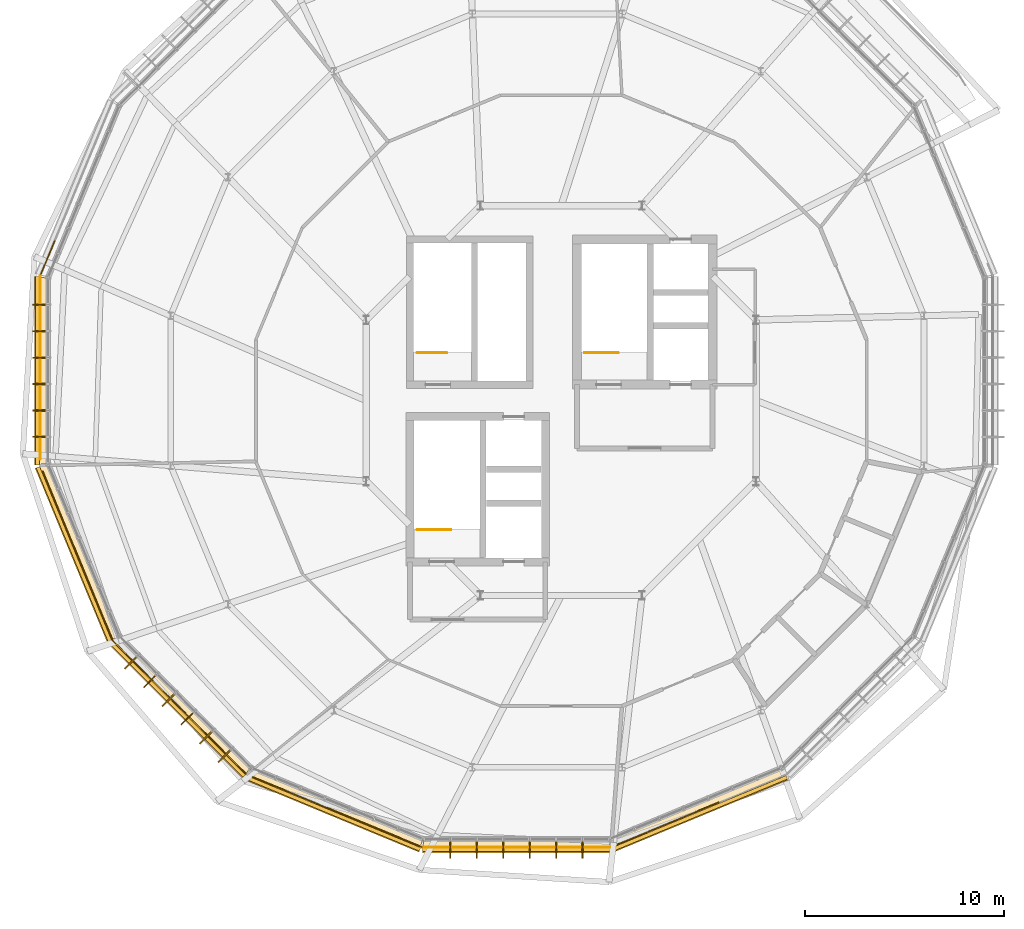
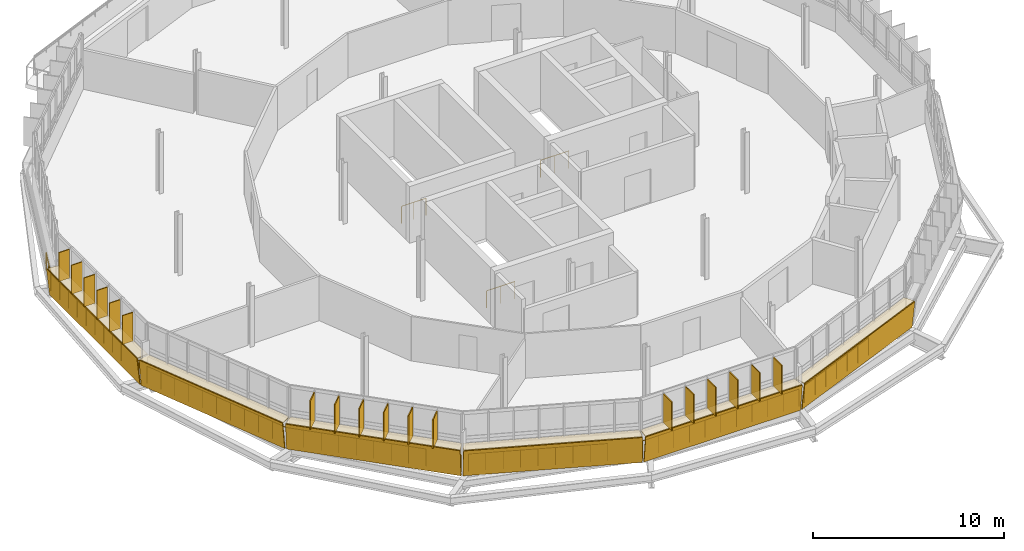
# One storey, part 29 of 31: 32 railings, 18 shading devices, 12 coverings.
"""IFC4 building model written with IfcOpenShell, lengths in metres."""

import ifcopenshell
import ifcopenshell.guid

model = None  # the IFC model being written
_history = None  # IfcOwnerHistory: only IFC2X3 demands one
_inside = {}  # id of a spatial element -> (the spatial element, [elements in it])
_under = {}  # id of a project, library or spatial element -> (it, [spatial elements below it])
_declared = {}  # id of a project -> (the project, [libraries it declares])
_typed = {}  # id of a type object -> (the type object, [elements of that type])
_made_of = {}  # id of a material, layer set ... -> (it, [elements and type objects made of it])


def new_model(schema):
    """Start an empty IFC model of exactly this schema.

    Asked for "IFC4X3", IfcOpenShell would pick the latest addendum, in which some entities
    have other attributes; the version numbers below select the first issue.
    IFC2X3 requires an IfcOwnerHistory on every rooted entity: one is made here for all.
    """
    global model, _history
    if schema == "IFC4X3":
        model = ifcopenshell.file(schema_version=(4, 3, 0, 0))
    else:
        model = ifcopenshell.file(schema=schema)
    _inside.clear()
    _under.clear()
    _declared.clear()
    _typed.clear()
    _made_of.clear()
    _history = None
    if model.schema == "IFC2X3":
        org = make("IfcOrganization", Name="unknown")
        user = make(
            "IfcPersonAndOrganization",
            ThePerson=make("IfcPerson", FamilyName="unknown"),
            TheOrganization=org,
        )
        app = make(
            "IfcApplication",
            ApplicationDeveloper=org,
            Version="unknown",
            ApplicationFullName="unknown",
            ApplicationIdentifier="unknown",
        )
        _history = make(
            "IfcOwnerHistory",
            OwningUser=user,
            OwningApplication=app,
            ChangeAction="ADDED",
            CreationDate=0,
        )
    return model


def make(cls, **values):
    """One entity of the class cls with the attributes given. An attribute that is None is left unset."""
    return model.create_entity(
        cls, **{name: value for name, value in values.items() if value is not None}
    )


def rooted(cls, **values):
    """An entity with a GlobalId (a new one), such as an element, a storey or a relation."""
    return make(cls, GlobalId=ifcopenshell.guid.new(), OwnerHistory=_history, **values)


def si_unit(unit_type, name, prefix=None):
    """IfcSIUnit, for example si_unit("LENGTHUNIT", "METRE", prefix="MILLI")."""
    return make("IfcSIUnit", UnitType=unit_type, Prefix=prefix, Name=name)


def derived_unit(unit_type, elements):
    """IfcDerivedUnit: a product of units, each with its exponent."""
    return make(
        "IfcDerivedUnit",
        Elements=[
            make("IfcDerivedUnitElement", Unit=unit, Exponent=power)
            for unit, power in elements
        ],
        UnitType=unit_type,
    )


def assignment(units):
    """IfcUnitAssignment: the units of a project."""
    return None if units is None else make("IfcUnitAssignment", Units=units)


def point(xyz):
    """IfcCartesianPoint."""
    return None if xyz is None else make("IfcCartesianPoint", Coordinates=xyz)


def direction(xyz):
    """IfcDirection."""
    return None if xyz is None else make("IfcDirection", DirectionRatios=xyz)


def frame(location, z_axis=None, x_axis=None):
    """IfcAxis2Placement3D, a coordinate frame: its origin and axes. An axis left out is left unset."""
    return make(
        "IfcAxis2Placement3D",
        Location=point(location),
        Axis=direction(z_axis),
        RefDirection=direction(x_axis),
    )


def frame_2d(location, x_axis=None):
    """IfcAxis2Placement2D, a coordinate frame in the plane: its origin and x axis."""
    return make(
        "IfcAxis2Placement2D", Location=point(location), RefDirection=direction(x_axis)
    )


def origin():
    """The frame at (0, 0, 0) with its axes left unset."""
    return frame((0.0, 0.0, 0.0))


def origin_2d():
    """The frame at (0, 0) in the plane with its x axis left unset."""
    return frame_2d((0.0, 0.0))


def place(relative_to, where):
    """IfcLocalPlacement: puts the frame where relative to a parent placement (None: the world)."""
    return make(
        "IfcLocalPlacement", PlacementRelTo=relative_to, RelativePlacement=where
    )


def context(
    kind, dimensions, precision=None, world=None, true_north=None, identifier=None
):
    """IfcGeometricRepresentationContext, for example the 3D "Model" context."""
    return make(
        "IfcGeometricRepresentationContext",
        ContextIdentifier=identifier,
        ContextType=kind,
        CoordinateSpaceDimension=dimensions,
        Precision=precision,
        WorldCoordinateSystem=world,
        TrueNorth=true_north,
    )


def subcontext(parent, identifier, kind, view, scale=None):
    """IfcGeometricRepresentationSubContext, for example "Body" below "Model"."""
    return make(
        "IfcGeometricRepresentationSubContext",
        ContextIdentifier=identifier,
        ContextType=kind,
        ParentContext=parent,
        TargetScale=scale,
        TargetView=view,
    )


def project(units=None, contexts=None):
    """IfcProject with its units and contexts."""
    return rooted(
        "IfcProject",
        Name="project",
        RepresentationContexts=contexts,
        UnitsInContext=assignment(units),
    )


def spatial(cls, under=None, at=None, **own):
    """A site, building, storey or space (cls), placed at a placement, below another one or the project."""
    s = rooted(cls, ObjectPlacement=at, **own)
    if under is not None:
        _under.setdefault(under.id(), (under, []))[1].append(s)
    return s


def polyline(points):
    """IfcPolyline through the points."""
    return make("IfcPolyline", Points=[point(p) for p in points])


def profile(cls, at=None, kind="AREA", **sizes):
    """A parametric profile (cls). Its sizes go by their IFC names, for example OverallWidth=200.0."""
    return make(cls, ProfileType=kind, Position=at, **sizes)


def rectangle(**sizes):
    """IfcRectangleProfileDef."""
    return profile("IfcRectangleProfileDef", **sizes)


def circle(**sizes):
    """IfcCircleProfileDef."""
    return profile("IfcCircleProfileDef", **sizes)


def outline(outer, holes=None, kind="AREA"):
    """IfcArbitraryClosedProfileDef: a profile drawn as a closed curve; with holes, ...WithVoids."""
    if holes is None:
        return make("IfcArbitraryClosedProfileDef", ProfileType=kind, OuterCurve=outer)
    return make(
        "IfcArbitraryProfileDefWithVoids",
        ProfileType=kind,
        OuterCurve=outer,
        InnerCurves=holes,
    )


def extrude(swept, where, along, depth):
    """IfcExtrudedAreaSolid: the profile swept, set in the frame where, extruded along a direction by depth."""
    return make(
        "IfcExtrudedAreaSolid",
        SweptArea=swept,
        Position=where,
        ExtrudedDirection=direction(along),
        Depth=depth,
    )


def shape(context_of_items, identifier, shape_type, items):
    """IfcShapeRepresentation: the items that make up one representation, for example the "Body"."""
    return make(
        "IfcShapeRepresentation",
        ContextOfItems=context_of_items,
        RepresentationIdentifier=identifier,
        RepresentationType=shape_type,
        Items=items,
    )


def material(Name=None, Category=None):
    """IfcMaterial."""
    return make("IfcMaterial", Name=Name, Category=Category)


def layer(
    of_material, thickness, ventilated=None, Name=None, Category=None, Priority=None
):
    """IfcMaterialLayer: one layer of a wall or slab, of a material (None: an air gap)."""
    return make(
        "IfcMaterialLayer",
        Material=of_material,
        LayerThickness=thickness,
        IsVentilated=ventilated,
        Name=Name,
        Category=Category,
        Priority=Priority,
    )


def layer_set(layers, Name=None):
    """IfcMaterialLayerSet."""
    return make("IfcMaterialLayerSet", MaterialLayers=layers, LayerSetName=Name)


def made_of(thing, what):
    """Note that an element or type object is made of a material, layer set ...; save() writes the relation."""
    if what is not None:
        _made_of.setdefault(what.id(), (what, []))[1].append(thing)
    return thing


def type_object(cls, material=None, **own):
    """A type object (cls), such as IfcWallType, which elements share."""
    return made_of(rooted(cls, **own), material)


def element(
    cls,
    number,
    at=None,
    inside=None,
    cuts=None,
    type_object=None,
    material=None,
    context=None,
    identifier="Body",
    shape_type=None,
    held_by="IfcProductDefinitionShape",
    body=None,
    shapes=None,
    **own,
):
    """One element of the class cls, such as IfcWall. Its Tag is "e" and its number.

    at: its placement. inside: the storey or other place that contains it. cuts: it is an
    opening in that element (IfcRelVoidsElement). A single representation is given by context,
    identifier, shape_type and body (its items); several are given by shapes. held_by: the class
    of the entity that holds the representations. save() writes the other relations.
    """
    e = rooted(cls, Tag="e%d" % number, ObjectPlacement=at, **own)
    if body is not None:
        shapes = [shape(context, identifier, shape_type, body)]
    if shapes is not None:
        e.Representation = make(held_by, Representations=shapes)
    if inside is not None:
        _inside.setdefault(inside.id(), (inside, []))[1].append(e)
    if cuts is not None:
        rooted(
            "IfcRelVoidsElement", RelatingBuildingElement=cuts, RelatedOpeningElement=e
        )
    if type_object is not None:
        _typed.setdefault(type_object.id(), (type_object, []))[1].append(e)
    return made_of(e, material)


def aggregate(whole, parts):
    """IfcRelAggregates: a whole, such as a stair, and the parts it consists of."""
    return rooted("IfcRelAggregates", RelatingObject=whole, RelatedObjects=parts)


def save(model, path):
    """Write the relations noted so far, then the file.

    IfcRelAggregates (storeys below a building ...), IfcRelContainedInSpatialStructure (elements
    in a storey), IfcRelDefinesByType, IfcRelAssociatesMaterial and IfcRelDeclares: one each for
    every whole, place, type object, material and project.
    """
    for whole, parts in _under.values():
        aggregate(whole, parts)
    for where, things in _inside.values():
        rooted(
            "IfcRelContainedInSpatialStructure",
            RelatedElements=things,
            RelatingStructure=where,
        )
    for kind, things in _typed.values():
        rooted("IfcRelDefinesByType", RelatedObjects=things, RelatingType=kind)
    for what, things in _made_of.values():
        rooted("IfcRelAssociatesMaterial", RelatedObjects=things, RelatingMaterial=what)
    for by, libraries in _declared.values():
        rooted("IfcRelDeclares", RelatingContext=by, RelatedDefinitions=libraries)
    model.write(path)


model = new_model("IFC4")

# Units and contexts
model_context = context("Model", 3, precision=1e-05, world=origin(), true_north=direction((0.0, 1.0)))
body_context = subcontext(model_context, "Body", "Model", "MODEL_VIEW")
ifc_project = project(units=[si_unit("LENGTHUNIT", "METRE"), si_unit("AREAUNIT", "SQUARE_METRE"), si_unit("VOLUMEUNIT", "CUBIC_METRE"), si_unit("PLANEANGLEUNIT", "RADIAN"), si_unit("MASSUNIT", "GRAM", prefix="KILO"), derived_unit("THERMALTRANSMITTANCEUNIT", [(si_unit("MASSUNIT", "GRAM", prefix="KILO"), 1), (si_unit("TIMEUNIT", "SECOND"), -3), (si_unit("THERMODYNAMICTEMPERATUREUNIT", "KELVIN"), -1)])], contexts=[model_context])

# Site, building, storey
site_placement = place(None, origin())
site = spatial("IfcSite", under=ifc_project, at=site_placement, CompositionType="ELEMENT")
building_placement = place(site_placement, origin())
building = spatial("IfcBuilding", under=site, at=building_placement, Name="Makaiwela Harbour Ferry Terminal", CompositionType="ELEMENT")
storey_placement = place(building_placement, frame((0.0, 0.0, 21.60009765625)))
storey = spatial("IfcBuildingStorey", under=building, at=storey_placement, Name="L05", CompositionType="ELEMENT", Elevation=21.60009765625)

# Coverings
ifc_material_1 = material(Name="White glazed marine ceramic rainscreen tile", Category="masonry")
ifc_layer_1 = layer(ifc_material_1, 0.054931640625)
ifc_layer_set_1 = layer_set([ifc_layer_1], Name="White glazed marine ceramic rainscreen tile")
covering_type = type_object("IfcCoveringType", Name="ENV-CLD-CERAMIC", PredefinedType="CLADDING", material=ifc_layer_set_1)
covering_1_placement = place(storey_placement, frame((11.57177734375, 73.830078125, -0.2001953125), z_axis=(0.994020597742, 0.0, 0.109192725327), x_axis=(0.0, -1.0, 0.0)))
element("IfcCovering", 1, at=covering_1_placement, inside=storey, type_object=covering_type, Name="Ceramic Spandrel Facet CLD-0141", PredefinedType="CLADDING", context=body_context, shape_type="SweptSolid", body=[
    extrude(outline(polyline([(0.0, 0.0), (9.4599609375, 0.0), (9.4599609375, -1.7305625735093486), (0.0, -1.7305625735093486), (0.0, 0.0)])), origin(), (0.0, 0.0, -1.0), 0.054931640625),
])
covering_2_placement = place(storey_placement, frame((0.0, 0.0, 1.47998046875)))
element("IfcCovering", 2, at=covering_2_placement, inside=storey, type_object=covering_type, Name="Ceramic Ring Sill Cap CLD-0142", PredefinedType="CLADDING", context=body_context, shape_type="SweptSolid", body=[
    extrude(outline(polyline([(11.3828125, 73.830078125), (11.3828125, 64.3701171875), (12.01123046875, 64.44775390625), (12.01123046875, 73.752197265625), (11.3828125, 73.830078125)])), origin(), (0.0, 0.0, 1.0), 0.054931640625),
])
covering_3_placement = place(storey_placement, frame((11.5869140625, 64.293701171875, -0.2001953125), z_axis=(0.918359584869, 0.380409383324, 0.109107167308), x_axis=(0.382693938663, -0.923875180589, 1.292983e-06)))
element("IfcCovering", 3, at=covering_3_placement, inside=storey, type_object=covering_type, Name="Ceramic Spandrel Facet CLD-0143", PredefinedType="CLADDING", context=body_context, shape_type="SweptSolid", body=[
    extrude(outline(polyline([(0.0, 0.0), (9.459831405573986, -5.551115123125783e-17), (9.459888215047819, -1.730533912671945), (-3.662166353580015e-05, -1.7305585225097777), (0.0, 0.0)])), origin(), (0.0, 0.0, -1.0), 0.054931640625),
])
covering_4_placement = place(storey_placement, frame((0.0, 0.0, 1.47998046875)))
element("IfcCovering", 4, at=covering_4_placement, inside=storey, type_object=covering_type, Name="Ceramic Ring Sill Cap CLD-0144", PredefinedType="CLADDING", context=body_context, shape_type="SweptSolid", body=[
    extrude(outline(polyline([(11.412353515625, 64.221435546875), (15.03271484375, 55.481689453125), (15.583251953125, 55.7939453125), (12.022705078125, 64.39013671875), (11.412353515625, 64.221435546875)])), origin(), (0.0, 0.0, 1.0), 0.054931640625),
])
covering_5_placement = place(storey_placement, frame((15.250244140625, 55.489501953125, -0.2001953125), z_axis=(0.70288330772, 0.70288330772, 0.109133457089), x_axis=(0.707106781187, -0.707106781187, 0.0)))
element("IfcCovering", 5, at=covering_5_placement, inside=storey, type_object=covering_type, Name="Ceramic Spandrel Facet CLD-0145", PredefinedType="CLADDING", context=body_context, shape_type="SweptSolid", body=[
    extrude(outline(polyline([(0.0, 0.0), (9.459970067251083, 0.0), (9.459970067251081, -1.730551241938544), (0.0, -1.730551241938544), (0.0, 0.0)])), origin(), (0.0, 0.0, -1.0), 0.054931640625),
])
covering_6_placement = place(storey_placement, frame((0.0, 0.0, 1.47998046875)))
element("IfcCovering", 6, at=covering_6_placement, inside=storey, type_object=covering_type, Name="Ceramic Ring Sill Cap CLD-0146", PredefinedType="CLADDING", context=body_context, shape_type="SweptSolid", body=[
    extrude(outline(polyline([(15.11669921875, 55.35595703125), (21.805908203125, 48.666748046875), (22.195068359375, 49.166015625), (15.615966796875, 55.7451171875), (15.11669921875, 55.35595703125)])), origin(), (0.0, 0.0, 1.0), 0.054931640625),
])
covering_7_placement = place(storey_placement, frame((22.00390625, 48.757080078125, -0.2001953125), z_axis=(0.380390073202, 0.918356759881, 0.109198231624), x_axis=(0.923881600847, -0.382678438923, -5.35995e-07)))
element("IfcCovering", 7, at=covering_7_placement, inside=storey, type_object=covering_type, Name="Ceramic Spandrel Facet CLD-0147", PredefinedType="CLADDING", context=body_context, shape_type="SweptSolid", body=[
    extrude(outline(polyline([(0.0, 0.0), (9.46005696315023, -1.1102230246251565e-16), (9.459866160356057, -1.7305687275379373), (3.47542372856976e-05, -1.7305585255563514), (0.0, 0.0)])), origin(), (0.0, 0.0, -1.0), 0.054931640625),
])
covering_8_placement = place(storey_placement, frame((0.0, 0.0, 1.47998046875)))
element("IfcCovering", 8, at=covering_8_placement, inside=storey, type_object=covering_type, Name="Ceramic Ring Sill Cap CLD-0148", PredefinedType="CLADDING", context=body_context, shape_type="SweptSolid", body=[
    extrude(outline(polyline([(21.931640625, 48.58251953125), (30.67138671875, 44.96240234375), (30.840087890625, 45.57275390625), (22.243896484375, 49.13330078125), (21.931640625, 48.58251953125)])), origin(), (0.0, 0.0, 1.0), 0.054931640625),
])
covering_9_placement = place(storey_placement, frame((30.820068359375, 45.121826171875, -0.2001953125), z_axis=(0.0, 0.994020597742, 0.109192725327), x_axis=(1.0, 0.0, 0.0)))
element("IfcCovering", 9, at=covering_9_placement, inside=storey, type_object=covering_type, Name="Ceramic Spandrel Facet CLD-0149", PredefinedType="CLADDING", context=body_context, shape_type="SweptSolid", body=[
    extrude(outline(polyline([(0.0, 0.0), (9.4599609375, 0.0), (9.4599609375, -1.7305625735093486), (0.0, -1.7305625735093486), (0.0, 0.0)])), origin(), (0.0, 0.0, -1.0), 0.054931640625),
])
covering_10_placement = place(storey_placement, frame((0.0, 0.0, 1.47998046875)))
element("IfcCovering", 10, at=covering_10_placement, inside=storey, type_object=covering_type, Name="Ceramic Ring Sill Cap CLD-0150", PredefinedType="CLADDING", context=body_context, shape_type="SweptSolid", body=[
    extrude(outline(polyline([(30.820068359375, 44.932861328125), (40.280029296875, 44.932861328125), (40.2021484375, 45.561279296875), (30.897705078125, 45.561279296875), (30.820068359375, 44.932861328125)])), origin(), (0.0, 0.0, 1.0), 0.054931640625),
])
covering_11_placement = place(storey_placement, frame((40.356201171875, 45.136962890625, -0.2001953125), z_axis=(-0.380395729275, 0.918357588115, 0.109171559944), x_axis=(0.923879688594, 0.382683055547, 0.0)))
element("IfcCovering", 11, at=covering_11_placement, inside=storey, type_object=covering_type, Name="Ceramic Spandrel Facet CLD-0151", PredefinedType="CLADDING", context=body_context, shape_type="SweptSolid", body=[
    extrude(outline(polyline([(0.0, 0.0), (9.459831406238237, 0.0), (9.459794785903206, -1.7305585261408318), (-3.6620335031142814e-05, -1.7305585261408318), (0.0, 0.0)])), origin(), (0.0, 0.0, -1.0), 0.054931640625),
])
covering_12_placement = place(storey_placement, frame((0.0, 0.0, 1.47998046875)))
element("IfcCovering", 12, at=covering_12_placement, inside=storey, type_object=covering_type, Name="Ceramic Ring Sill Cap CLD-0152", PredefinedType="CLADDING", context=body_context, shape_type="SweptSolid", body=[
    extrude(outline(polyline([(40.428466796875, 44.96240234375), (49.168212890625, 48.58251953125), (48.85595703125, 49.13330078125), (40.260009765625, 45.57275390625), (40.428466796875, 44.96240234375)])), origin(), (0.0, 0.0, 1.0), 0.054931640625),
])

# Shading devices
ifc_material_2 = material(Name="Marine anodised aluminium 6063-T6", Category="aluminium")
ifc_layer_2 = layer(ifc_material_2, 0.054931640625)
ifc_layer_set_2 = layer_set([ifc_layer_2], Name="Marine anodised aluminium 6063-T6")
shading_device_type_1 = type_object("IfcShadingDeviceType", Name="ENV-FIN-650", PredefinedType="USERDEFINED", material=ifc_layer_set_2)
for number, where, z_axis, x_axis, name in (
    (13, (11.5732421875, 72.423095703125, 1.60009765625), (0.0, 0.0, 1.0), (-1.0, 0.0, 0.0), "Vertical Solar Fin SFN-0168"),
    (14, (11.5732421875, 71.09375, 1.60009765625), (0.0, 0.0, 1.0), (-1.0, 0.0, 0.0), "Vertical Solar Fin SFN-0169"),
    (15, (11.5732421875, 69.7646484375, 1.60009765625), (0.0, 0.0, 1.0), (-1.0, 0.0, 0.0), "Vertical Solar Fin SFN-0170"),
    (16, (11.5732421875, 68.435302734375, 1.60009765625), (0.0, 0.0, 1.0), (-1.0, 0.0, 0.0), "Vertical Solar Fin SFN-0171"),
    (17, (11.5732421875, 67.106201171875, 1.60009765625), (0.0, 0.0, 1.0), (-1.0, 0.0, 0.0), "Vertical Solar Fin SFN-0172"),
    (18, (11.5732421875, 65.777099609375, 1.60009765625), (0.0, 0.0, 1.0), (-1.0, 0.0, 0.0), "Vertical Solar Fin SFN-0173"),
):
    element("IfcShadingDevice", number, at=place(storey_placement, frame(where, z_axis=z_axis, x_axis=x_axis)), inside=storey, type_object=shading_device_type_1, Name=name, ObjectType="SOLAR FIN", PredefinedType="USERDEFINED", context=body_context, shape_type="SweptSolid", body=[
        extrude(rectangle(XDim=0.64990234375, YDim=0.054931640625, at=origin_2d()), origin(), (0.0, 0.0, 1.0), 1.840087890625),
    ])
ifc_material_3 = material(Name="Thermally modified Accoya timber and anodised aluminium", Category="wood")
ifc_layer_3 = layer(ifc_material_3, 0.06005859375)
ifc_layer_set_3 = layer_set([ifc_layer_3], Name="Thermally modified Accoya timber and anodised aluminium")
shading_device_type_2 = type_object("IfcShadingDeviceType", Name="ENV-FIN-850", PredefinedType="USERDEFINED", material=ifc_layer_set_3)
for number, where, z_axis, x_axis, name in (
    (19, (16.17529296875, 54.4248046875, 1.60009765625), (0.0, 0.0, 1.0), (-0.707106781187, -0.707106781187, 0.0), "Vertical Solar Fin SFN-0174"),
    (20, (17.115234375, 53.48486328125, 1.60009765625), (0.0, 0.0, 1.0), (-0.707106781187, -0.707106781187, 0.0), "Vertical Solar Fin SFN-0175"),
    (21, (18.05517578125, 52.544921875, 1.60009765625), (0.0, 0.0, 1.0), (-0.707106781187, -0.707106781187, 0.0), "Vertical Solar Fin SFN-0176"),
    (22, (18.9951171875, 51.605224609375, 1.60009765625), (0.0, 0.0, 1.0), (-0.707106781187, -0.707106781187, 0.0), "Vertical Solar Fin SFN-0177"),
    (23, (19.934814453125, 50.665283203125, 1.60009765625), (0.0, 0.0, 1.0), (-0.707106781187, -0.707106781187, 0.0), "Vertical Solar Fin SFN-0178"),
    (24, (20.874755859375, 49.725341796875, 1.60009765625), (0.0, 0.0, 1.0), (-0.707106781187, -0.707106781187, 0.0), "Vertical Solar Fin SFN-0179"),
    (25, (32.22705078125, 45.023193359375, 1.60009765625), (0.0, 0.0, 1.0), (0.0, -1.0, 0.0), "Vertical Solar Fin SFN-0180"),
    (26, (33.55615234375, 45.023193359375, 1.60009765625), (0.0, 0.0, 1.0), (0.0, -1.0, 0.0), "Vertical Solar Fin SFN-0181"),
    (27, (34.885498046875, 45.023193359375, 1.60009765625), (0.0, 0.0, 1.0), (0.0, -1.0, 0.0), "Vertical Solar Fin SFN-0182"),
    (28, (36.214599609375, 45.023193359375, 1.60009765625), (0.0, 0.0, 1.0), (0.0, -1.0, 0.0), "Vertical Solar Fin SFN-0183"),
    (29, (37.543701171875, 45.023193359375, 1.60009765625), (0.0, 0.0, 1.0), (0.0, -1.0, 0.0), "Vertical Solar Fin SFN-0184"),
    (30, (38.873046875, 45.023193359375, 1.60009765625), (0.0, 0.0, 1.0), (0.0, -1.0, 0.0), "Vertical Solar Fin SFN-0185"),
):
    element("IfcShadingDevice", number, at=place(storey_placement, frame(where, z_axis=z_axis, x_axis=x_axis)), inside=storey, type_object=shading_device_type_2, Name=name, ObjectType="SOLAR FIN", PredefinedType="USERDEFINED", context=body_context, shape_type="SweptSolid", body=[
        extrude(rectangle(XDim=0.85009765625, YDim=0.06005859375, at=origin_2d()), origin(), (0.0, 0.0, 1.0), 1.840087890625),
    ])

# Railings
ifc_material_4 = material(Name="Marine grade 316L brushed stainless steel", Category="steel")
railing_type = type_object("IfcRailingType", Name="INT-RL-GRD110", PredefinedType="GUARDRAIL", material=ifc_material_4)
for number, where, name in (
    (31, (38.969970703125, 70.0, 0.0), "Stair top well guardrail RL-0018"),
    (32, (30.570068359375, 61.10009765625, 0.0), "Stair top well guardrail RL-0038"),
):
    element("IfcRailing", number, at=place(storey_placement, frame(where)), inside=storey, type_object=railing_type, Name=name, PredefinedType="GUARDRAIL", context=body_context, shape_type="SweptSolid", body=[
        extrude(circle(Radius=0.02392578125, at=origin_2d()), frame((0.0, 0.0, 1.09619140625), z_axis=(1.0, 0.0, 0.0), x_axis=(0.0, 1.0, 0.0)), (0.0, 0.0, 1.0), 1.696044921875),
        extrude(circle(Radius=0.02099609375, at=origin_2d()), origin(), (0.0, 0.0, 1.0), 1.072021484375),
        extrude(circle(Radius=0.02099609375, at=origin_2d()), frame((0.84814453125, 0.0, 0.0)), (0.0, 0.0, 1.0), 1.072021484375),
        extrude(circle(Radius=0.02099609375, at=origin_2d()), frame((1.696044921875, 0.0, 0.0)), (0.0, 0.0, 1.0), 1.072021484375),
    ])
railing_1_placement = place(storey_placement, frame((30.570068359375, 70.0, 0.0)))
element("IfcRailing", 33, at=railing_1_placement, inside=storey, type_object=railing_type, Name="Stair top well guardrail RL-0058", PredefinedType="GUARDRAIL", context=body_context, shape_type="SweptSolid", body=[
    extrude(circle(Radius=0.02392578125, at=origin_2d()), frame((0.0, 0.0, 1.09619140625), z_axis=(1.0, 0.0, 0.0), x_axis=(0.0, 1.0, 0.0)), (0.0, 0.0, 1.0), 1.47998046875),
    extrude(circle(Radius=0.02099609375, at=origin_2d()), origin(), (0.0, 0.0, 1.0), 1.072021484375),
    extrude(circle(Radius=0.02099609375, at=origin_2d()), frame((0.739990234375, 0.0, 0.0)), (0.0, 0.0, 1.0), 1.072021484375),
    extrude(circle(Radius=0.02099609375, at=origin_2d()), frame((1.47998046875, 0.0, 0.0)), (0.0, 0.0, 1.0), 1.072021484375),
])
railing_2_placement = place(storey_placement, frame((11.61474609375, 73.861083984375, 0.0)))
element("IfcRailing", 34, at=railing_2_placement, inside=storey, type_object=railing_type, Name="Deck edge guardrail RL-0841", PredefinedType="GUARDRAIL", context=body_context, shape_type="SweptSolid", body=[
    extrude(circle(Radius=0.02392578125, at=origin_2d()), frame((0.0, 0.0, 1.09619140625), z_axis=(0.382657483924, 0.923890280281, 0.0), x_axis=(-0.923890280281, 0.382657483924, 0.0)), (0.0, 0.0, 1.0), 1.904541015625),
    extrude(circle(Radius=0.02099609375, at=origin_2d()), origin(), (0.0, 0.0, 1.0), 1.072021484375),
    extrude(circle(Radius=0.02099609375, at=origin_2d()), frame((0.3642578125, 0.8798828125, 0.0)), (0.0, 0.0, 1.0), 1.072021484375),
    extrude(circle(Radius=0.02099609375, at=origin_2d()), frame((0.728759765625, 1.759521484375, 0.0)), (0.0, 0.0, 1.0), 1.072021484375),
])
railing_3_placement = place(storey_placement, frame((45.726806640625, 47.408203125, 0.0)))
element("IfcRailing", 35, at=railing_3_placement, inside=storey, type_object=railing_type, Name="Deck edge guardrail RL-0892", PredefinedType="GUARDRAIL", context=body_context, shape_type="SweptSolid", body=[
    extrude(circle(Radius=0.02392578125, at=origin_2d()), frame((0.0, 0.0, 1.09619140625), z_axis=(-0.92387213431, -0.382701292714, 0.0), x_axis=(0.382701292714, -0.92387213431, 0.0)), (0.0, 0.0, 1.0), 1.830322265625),
    extrude(circle(Radius=0.02099609375, at=origin_2d()), origin(), (0.0, 0.0, 1.0), 1.072021484375),
    extrude(circle(Radius=0.02099609375, at=origin_2d()), frame((-0.845458984375, -0.35009765625, 0.0)), (0.0, 0.0, 1.0), 1.072021484375),
    extrude(circle(Radius=0.02099609375, at=origin_2d()), frame((-1.69091796875, -0.700439453125, 0.0)), (0.0, 0.0, 1.0), 1.072021484375),
])
for number, where, name in (
    (36, (44.035888671875, 46.707763671875, 0.0), "Deck edge guardrail RL-0893"),
    (37, (42.34521484375, 46.00732421875, 0.0), "Deck edge guardrail RL-0894"),
):
    element("IfcRailing", number, at=place(storey_placement, frame(where)), inside=storey, type_object=railing_type, Name=name, PredefinedType="GUARDRAIL", context=body_context, shape_type="SweptSolid", body=[
        extrude(circle(Radius=0.02392578125, at=origin_2d()), frame((0.0, 0.0, 1.09619140625), z_axis=(-0.923852594087, -0.382748461001, 0.0), x_axis=(0.382748461001, -0.923852594087, 0.0)), (0.0, 0.0, 1.0), 1.830078125),
        extrude(circle(Radius=0.02099609375, at=origin_2d()), origin(), (0.0, 0.0, 1.0), 1.072021484375),
        extrude(circle(Radius=0.02099609375, at=origin_2d()), frame((-0.84521484375, -0.35009765625, 0.0)), (0.0, 0.0, 1.0), 1.072021484375),
        extrude(circle(Radius=0.02099609375, at=origin_2d()), frame((-1.690673828125, -0.700439453125, 0.0)), (0.0, 0.0, 1.0), 1.072021484375),
    ])
for number, where, name in (
    (38, (40.236083984375, 45.164794921875, 0.0), "Deck edge guardrail RL-0895"),
    (39, (38.3466796875, 45.164794921875, 0.0), "Deck edge guardrail RL-0896"),
    (40, (36.457275390625, 45.164794921875, 0.0), "Deck edge guardrail RL-0897"),
    (41, (34.56787109375, 45.164794921875, 0.0), "Deck edge guardrail RL-0898"),
    (42, (32.678466796875, 45.164794921875, 0.0), "Deck edge guardrail RL-0899"),
):
    element("IfcRailing", number, at=place(storey_placement, frame(where)), inside=storey, type_object=railing_type, Name=name, PredefinedType="GUARDRAIL", context=body_context, shape_type="SweptSolid", body=[
        extrude(circle(Radius=0.02392578125, at=origin_2d()), frame((0.0, 0.0, 1.09619140625), z_axis=(-1.0, 0.0, 0.0), x_axis=(0.0, -1.0, 0.0)), (0.0, 0.0, 1.0), 1.889404296875),
        extrude(circle(Radius=0.02099609375, at=origin_2d()), origin(), (0.0, 0.0, 1.0), 1.072021484375),
        extrude(circle(Radius=0.02099609375, at=origin_2d()), frame((-0.94482421875, 0.0, 0.0)), (0.0, 0.0, 1.0), 1.072021484375),
        extrude(circle(Radius=0.02099609375, at=origin_2d()), frame((-1.889404296875, 0.0, 0.0)), (0.0, 0.0, 1.0), 1.072021484375),
    ])
for number, where, name in (
    (43, (30.7890625, 45.164794921875, 0.0), "Deck edge guardrail RL-0900"),
    (44, (29.0908203125, 45.8681640625, 0.0), "Deck edge guardrail RL-0901"),
):
    element("IfcRailing", number, at=place(storey_placement, frame(where)), inside=storey, type_object=railing_type, Name=name, PredefinedType="GUARDRAIL", context=body_context, shape_type="SweptSolid", body=[
        extrude(circle(Radius=0.02392578125, at=origin_2d()), frame((0.0, 0.0, 1.09619140625), z_axis=(-0.923892189267, 0.382652874824, 0.0), x_axis=(-0.382652874824, -0.923892189267, 0.0)), (0.0, 0.0, 1.0), 1.838134765625),
        extrude(circle(Radius=0.02099609375, at=origin_2d()), origin(), (0.0, 0.0, 1.0), 1.072021484375),
        extrude(circle(Radius=0.02099609375, at=origin_2d()), frame((-0.84912109375, 0.3515625, 0.0)), (0.0, 0.0, 1.0), 1.072021484375),
        extrude(circle(Radius=0.02099609375, at=origin_2d()), frame((-1.6982421875, 0.703369140625, 0.0)), (0.0, 0.0, 1.0), 1.072021484375),
    ])
railing_4_placement = place(storey_placement, frame((27.392578125, 46.571533203125, 0.0)))
element("IfcRailing", 45, at=railing_4_placement, inside=storey, type_object=railing_type, Name="Deck edge guardrail RL-0902", PredefinedType="GUARDRAIL", context=body_context, shape_type="SweptSolid", body=[
    extrude(circle(Radius=0.02392578125, at=origin_2d()), frame((0.0, 0.0, 1.09619140625), z_axis=(-0.923872737833, 0.382699835758, 0.0), x_axis=(-0.382699835758, -0.923872737833, 0.0)), (0.0, 0.0, 1.0), 1.837890625),
    extrude(circle(Radius=0.02099609375, at=origin_2d()), origin(), (0.0, 0.0, 1.0), 1.072021484375),
    extrude(circle(Radius=0.02099609375, at=origin_2d()), frame((-0.84912109375, 0.3515625, 0.0)), (0.0, 0.0, 1.0), 1.072021484375),
    extrude(circle(Radius=0.02099609375, at=origin_2d()), frame((-1.697998046875, 0.703369140625, 0.0)), (0.0, 0.0, 1.0), 1.072021484375),
])
railing_5_placement = place(storey_placement, frame((25.694580078125, 47.27490234375, 0.0)))
element("IfcRailing", 46, at=railing_5_placement, inside=storey, type_object=railing_type, Name="Deck edge guardrail RL-0903", PredefinedType="GUARDRAIL", context=body_context, shape_type="SweptSolid", body=[
    extrude(circle(Radius=0.02392578125, at=origin_2d()), frame((0.0, 0.0, 1.09619140625), z_axis=(-0.923845229033, 0.382766237791, 0.0), x_axis=(-0.382766237791, -0.923845229033, 0.0)), (0.0, 0.0, 1.0), 1.838134765625),
    extrude(circle(Radius=0.02099609375, at=origin_2d()), origin(), (0.0, 0.0, 1.0), 1.072021484375),
    extrude(circle(Radius=0.02099609375, at=origin_2d()), frame((-0.84912109375, 0.351806640625, 0.0)), (0.0, 0.0, 1.0), 1.072021484375),
    extrude(circle(Radius=0.02099609375, at=origin_2d()), frame((-1.6982421875, 0.70361328125, 0.0)), (0.0, 0.0, 1.0), 1.072021484375),
])
railing_6_placement = place(storey_placement, frame((23.996337890625, 47.978515625, 0.0)))
element("IfcRailing", 47, at=railing_6_placement, inside=storey, type_object=railing_type, Name="Deck edge guardrail RL-0904", PredefinedType="GUARDRAIL", context=body_context, shape_type="SweptSolid", body=[
    extrude(circle(Radius=0.02392578125, at=origin_2d()), frame((0.0, 0.0, 1.09619140625), z_axis=(-0.923892189267, 0.382652874824, 0.0), x_axis=(-0.382652874824, -0.923892189267, 0.0)), (0.0, 0.0, 1.0), 1.838134765625),
    extrude(circle(Radius=0.02099609375, at=origin_2d()), origin(), (0.0, 0.0, 1.0), 1.072021484375),
    extrude(circle(Radius=0.02099609375, at=origin_2d()), frame((-0.84912109375, 0.3515625, 0.0)), (0.0, 0.0, 1.0), 1.072021484375),
    extrude(circle(Radius=0.02099609375, at=origin_2d()), frame((-1.6982421875, 0.703369140625, 0.0)), (0.0, 0.0, 1.0), 1.072021484375),
])
railing_7_placement = place(storey_placement, frame((21.952880859375, 48.847900390625, 0.0)))
element("IfcRailing", 48, at=railing_7_placement, inside=storey, type_object=railing_type, Name="Deck edge guardrail RL-0905", PredefinedType="GUARDRAIL", context=body_context, shape_type="SweptSolid", body=[
    extrude(circle(Radius=0.02392578125, at=origin_2d()), frame((0.0, 0.0, 1.09619140625), z_axis=(-0.707171254109, 0.707042302385, 0.0), x_axis=(-0.707042302385, -0.707171254109, 0.0)), (0.0, 0.0, 1.0), 1.893310546875),
    extrude(circle(Radius=0.02099609375, at=origin_2d()), origin(), (0.0, 0.0, 1.0), 1.072021484375),
    extrude(circle(Radius=0.02099609375, at=origin_2d()), frame((-0.66943359375, 0.66943359375, 0.0)), (0.0, 0.0, 1.0), 1.072021484375),
    extrude(circle(Radius=0.02099609375, at=origin_2d()), frame((-1.3388671875, 1.338623046875, 0.0)), (0.0, 0.0, 1.0), 1.072021484375),
])
for number, where, name in (
    (49, (20.614013671875, 50.1865234375, 0.0), "Deck edge guardrail RL-0906"),
    (50, (19.275146484375, 51.525390625, 0.0), "Deck edge guardrail RL-0907"),
):
    element("IfcRailing", number, at=place(storey_placement, frame(where)), inside=storey, type_object=railing_type, Name=name, PredefinedType="GUARDRAIL", context=body_context, shape_type="SweptSolid", body=[
        extrude(circle(Radius=0.02392578125, at=origin_2d()), frame((0.0, 0.0, 1.09619140625), z_axis=(-0.707106781187, 0.707106781187, 0.0), x_axis=(-0.707106781187, -0.707106781187, 0.0)), (0.0, 0.0, 1.0), 1.8935546875),
        extrude(circle(Radius=0.02099609375, at=origin_2d()), origin(), (0.0, 0.0, 1.0), 1.072021484375),
        extrude(circle(Radius=0.02099609375, at=origin_2d()), frame((-0.66943359375, 0.66943359375, 0.0)), (0.0, 0.0, 1.0), 1.072021484375),
        extrude(circle(Radius=0.02099609375, at=origin_2d()), frame((-1.3388671875, 1.3388671875, 0.0)), (0.0, 0.0, 1.0), 1.072021484375),
    ])
railing_8_placement = place(storey_placement, frame((17.936279296875, 52.8642578125, 0.0)))
element("IfcRailing", 51, at=railing_8_placement, inside=storey, type_object=railing_type, Name="Deck edge guardrail RL-0908", PredefinedType="GUARDRAIL", context=body_context, shape_type="SweptSolid", body=[
    extrude(circle(Radius=0.02392578125, at=origin_2d()), frame((0.0, 0.0, 1.09619140625), z_axis=(-0.707171254109, 0.707042302385, 0.0), x_axis=(-0.707042302385, -0.707171254109, 0.0)), (0.0, 0.0, 1.0), 1.893310546875),
    extrude(circle(Radius=0.02099609375, at=origin_2d()), origin(), (0.0, 0.0, 1.0), 1.072021484375),
    extrude(circle(Radius=0.02099609375, at=origin_2d()), frame((-0.66943359375, 0.66943359375, 0.0)), (0.0, 0.0, 1.0), 1.072021484375),
    extrude(circle(Radius=0.02099609375, at=origin_2d()), frame((-1.3388671875, 1.338623046875, 0.0)), (0.0, 0.0, 1.0), 1.072021484375),
])
railing_9_placement = place(storey_placement, frame((16.597412109375, 54.202880859375, 0.0)))
element("IfcRailing", 52, at=railing_9_placement, inside=storey, type_object=railing_type, Name="Deck edge guardrail RL-0909", PredefinedType="GUARDRAIL", context=body_context, shape_type="SweptSolid", body=[
    extrude(circle(Radius=0.02392578125, at=origin_2d()), frame((0.0, 0.0, 1.09619140625), z_axis=(-0.707042302385, 0.707171254109, 0.0), x_axis=(-0.707171254109, -0.707042302385, 0.0)), (0.0, 0.0, 1.0), 1.893310546875),
    extrude(circle(Radius=0.02099609375, at=origin_2d()), origin(), (0.0, 0.0, 1.0), 1.072021484375),
    extrude(circle(Radius=0.02099609375, at=origin_2d()), frame((-0.66943359375, 0.66943359375, 0.0)), (0.0, 0.0, 1.0), 1.072021484375),
    extrude(circle(Radius=0.02099609375, at=origin_2d()), frame((-1.338623046875, 1.3388671875, 0.0)), (0.0, 0.0, 1.0), 1.072021484375),
])
railing_10_placement = place(storey_placement, frame((15.2587890625, 55.541748046875, 0.0)))
element("IfcRailing", 53, at=railing_10_placement, inside=storey, type_object=railing_type, Name="Deck edge guardrail RL-0910", PredefinedType="GUARDRAIL", context=body_context, shape_type="SweptSolid", body=[
    extrude(circle(Radius=0.02392578125, at=origin_2d()), frame((0.0, 0.0, 1.09619140625), z_axis=(-0.38274680723, 0.923853279236, 0.0), x_axis=(-0.923853279236, -0.38274680723, 0.0)), (0.0, 0.0, 1.0), 1.837646484375),
    extrude(circle(Radius=0.02099609375, at=origin_2d()), origin(), (0.0, 0.0, 1.0), 1.072021484375),
    extrude(circle(Radius=0.02099609375, at=origin_2d()), frame((-0.3515625, 0.848876953125, 0.0)), (0.0, 0.0, 1.0), 1.072021484375),
    extrude(circle(Radius=0.02099609375, at=origin_2d()), frame((-0.703369140625, 1.69775390625, 0.0)), (0.0, 0.0, 1.0), 1.072021484375),
])
for number, where, name in (
    (54, (14.555419921875, 57.239501953125, 0.0), "Deck edge guardrail RL-0911"),
    (55, (13.852294921875, 58.937255859375, 0.0), "Deck edge guardrail RL-0912"),
):
    element("IfcRailing", number, at=place(storey_placement, frame(where)), inside=storey, type_object=railing_type, Name=name, PredefinedType="GUARDRAIL", context=body_context, shape_type="SweptSolid", body=[
        extrude(circle(Radius=0.02392578125, at=origin_2d()), frame((0.0, 0.0, 1.09619140625), z_axis=(-0.382633408694, 0.923900251408, 0.0), x_axis=(-0.923900251408, -0.382633408694, 0.0)), (0.0, 0.0, 1.0), 1.837646484375),
        extrude(circle(Radius=0.02099609375, at=origin_2d()), origin(), (0.0, 0.0, 1.0), 1.072021484375),
        extrude(circle(Radius=0.02099609375, at=origin_2d()), frame((-0.3515625, 0.848876953125, 0.0)), (0.0, 0.0, 1.0), 1.072021484375),
        extrude(circle(Radius=0.02099609375, at=origin_2d()), frame((-0.703125, 1.69775390625, 0.0)), (0.0, 0.0, 1.0), 1.072021484375),
    ])
railing_11_placement = place(storey_placement, frame((13.149169921875, 60.635009765625, 0.0)))
element("IfcRailing", 56, at=railing_11_placement, inside=storey, type_object=railing_type, Name="Deck edge guardrail RL-0913", PredefinedType="GUARDRAIL", context=body_context, shape_type="SweptSolid", body=[
    extrude(circle(Radius=0.02392578125, at=origin_2d()), frame((0.0, 0.0, 1.09619140625), z_axis=(-0.382793789244, 0.923833813473, 0.0), x_axis=(-0.923833813473, -0.382793789244, 0.0)), (0.0, 0.0, 1.0), 1.83740234375),
    extrude(circle(Radius=0.02099609375, at=origin_2d()), origin(), (0.0, 0.0, 1.0), 1.072021484375),
    extrude(circle(Radius=0.02099609375, at=origin_2d()), frame((-0.3515625, 0.8486328125, 0.0)), (0.0, 0.0, 1.0), 1.072021484375),
    extrude(circle(Radius=0.02099609375, at=origin_2d()), frame((-0.703369140625, 1.697509765625, 0.0)), (0.0, 0.0, 1.0), 1.072021484375),
])
railing_12_placement = place(storey_placement, frame((12.44580078125, 62.33251953125, 0.0)))
element("IfcRailing", 57, at=railing_12_placement, inside=storey, type_object=railing_type, Name="Deck edge guardrail RL-0914", PredefinedType="GUARDRAIL", context=body_context, shape_type="SweptSolid", body=[
    extrude(circle(Radius=0.02392578125, at=origin_2d()), frame((0.0, 0.0, 1.09619140625), z_axis=(-0.382633408694, 0.923900251408, 0.0), x_axis=(-0.923900251408, -0.382633408694, 0.0)), (0.0, 0.0, 1.0), 1.837646484375),
    extrude(circle(Radius=0.02099609375, at=origin_2d()), origin(), (0.0, 0.0, 1.0), 1.072021484375),
    extrude(circle(Radius=0.02099609375, at=origin_2d()), frame((-0.3515625, 0.848876953125, 0.0)), (0.0, 0.0, 1.0), 1.072021484375),
    extrude(circle(Radius=0.02099609375, at=origin_2d()), frame((-0.703125, 1.69775390625, 0.0)), (0.0, 0.0, 1.0), 1.072021484375),
])
railing_13_placement = place(storey_placement, frame((11.61474609375, 64.64794921875, 0.0)))
element("IfcRailing", 58, at=railing_13_placement, inside=storey, type_object=railing_type, Name="Deck edge guardrail RL-0915", PredefinedType="GUARDRAIL", context=body_context, shape_type="SweptSolid", body=[
    extrude(circle(Radius=0.02392578125, at=origin_2d()), frame((0.0, 0.0, 1.09619140625), z_axis=(0.0, 1.0, 0.0), x_axis=(-1.0, 0.0, 0.0)), (0.0, 0.0, 1.0), 1.842529296875),
    extrude(circle(Radius=0.02099609375, at=origin_2d()), origin(), (0.0, 0.0, 1.0), 1.072021484375),
    extrude(circle(Radius=0.02099609375, at=origin_2d()), frame((0.0, 0.92138671875, 0.0)), (0.0, 0.0, 1.0), 1.072021484375),
    extrude(circle(Radius=0.02099609375, at=origin_2d()), frame((0.0, 1.842529296875, 0.0)), (0.0, 0.0, 1.0), 1.072021484375),
])
railing_14_placement = place(storey_placement, frame((11.61474609375, 66.490478515625, 0.0)))
element("IfcRailing", 59, at=railing_14_placement, inside=storey, type_object=railing_type, Name="Deck edge guardrail RL-0916", PredefinedType="GUARDRAIL", context=body_context, shape_type="SweptSolid", body=[
    extrude(circle(Radius=0.02392578125, at=origin_2d()), frame((0.0, 0.0, 1.09619140625), z_axis=(0.0, 1.0, 0.0), x_axis=(-1.0, 0.0, 0.0)), (0.0, 0.0, 1.0), 1.8427734375),
    extrude(circle(Radius=0.02099609375, at=origin_2d()), origin(), (0.0, 0.0, 1.0), 1.072021484375),
    extrude(circle(Radius=0.02099609375, at=origin_2d()), frame((0.0, 0.92138671875, 0.0)), (0.0, 0.0, 1.0), 1.072021484375),
    extrude(circle(Radius=0.02099609375, at=origin_2d()), frame((0.0, 1.8427734375, 0.0)), (0.0, 0.0, 1.0), 1.072021484375),
])
for number, where, name in (
    (60, (11.61474609375, 68.333251953125, 0.0), "Deck edge guardrail RL-0917"),
    (61, (11.61474609375, 70.17578125, 0.0), "Deck edge guardrail RL-0918"),
):
    element("IfcRailing", number, at=place(storey_placement, frame(where)), inside=storey, type_object=railing_type, Name=name, PredefinedType="GUARDRAIL", context=body_context, shape_type="SweptSolid", body=[
        extrude(circle(Radius=0.02392578125, at=origin_2d()), frame((0.0, 0.0, 1.09619140625), z_axis=(0.0, 1.0, 0.0), x_axis=(-1.0, 0.0, 0.0)), (0.0, 0.0, 1.0), 1.842529296875),
        extrude(circle(Radius=0.02099609375, at=origin_2d()), origin(), (0.0, 0.0, 1.0), 1.072021484375),
        extrude(circle(Radius=0.02099609375, at=origin_2d()), frame((0.0, 0.92138671875, 0.0)), (0.0, 0.0, 1.0), 1.072021484375),
        extrude(circle(Radius=0.02099609375, at=origin_2d()), frame((0.0, 1.842529296875, 0.0)), (0.0, 0.0, 1.0), 1.072021484375),
    ])
railing_15_placement = place(storey_placement, frame((11.61474609375, 72.018310546875, 0.0)))
element("IfcRailing", 62, at=railing_15_placement, inside=storey, type_object=railing_type, Name="Deck edge guardrail RL-0919", PredefinedType="GUARDRAIL", context=body_context, shape_type="SweptSolid", body=[
    extrude(circle(Radius=0.02392578125, at=origin_2d()), frame((0.0, 0.0, 1.09619140625), z_axis=(0.0, 1.0, 0.0), x_axis=(-1.0, 0.0, 0.0)), (0.0, 0.0, 1.0), 1.8427734375),
    extrude(circle(Radius=0.02099609375, at=origin_2d()), origin(), (0.0, 0.0, 1.0), 1.072021484375),
    extrude(circle(Radius=0.02099609375, at=origin_2d()), frame((0.0, 0.92138671875, 0.0)), (0.0, 0.0, 1.0), 1.072021484375),
    extrude(circle(Radius=0.02099609375, at=origin_2d()), frame((0.0, 1.8427734375, 0.0)), (0.0, 0.0, 1.0), 1.072021484375),
])

save(model, "model.ifc")
